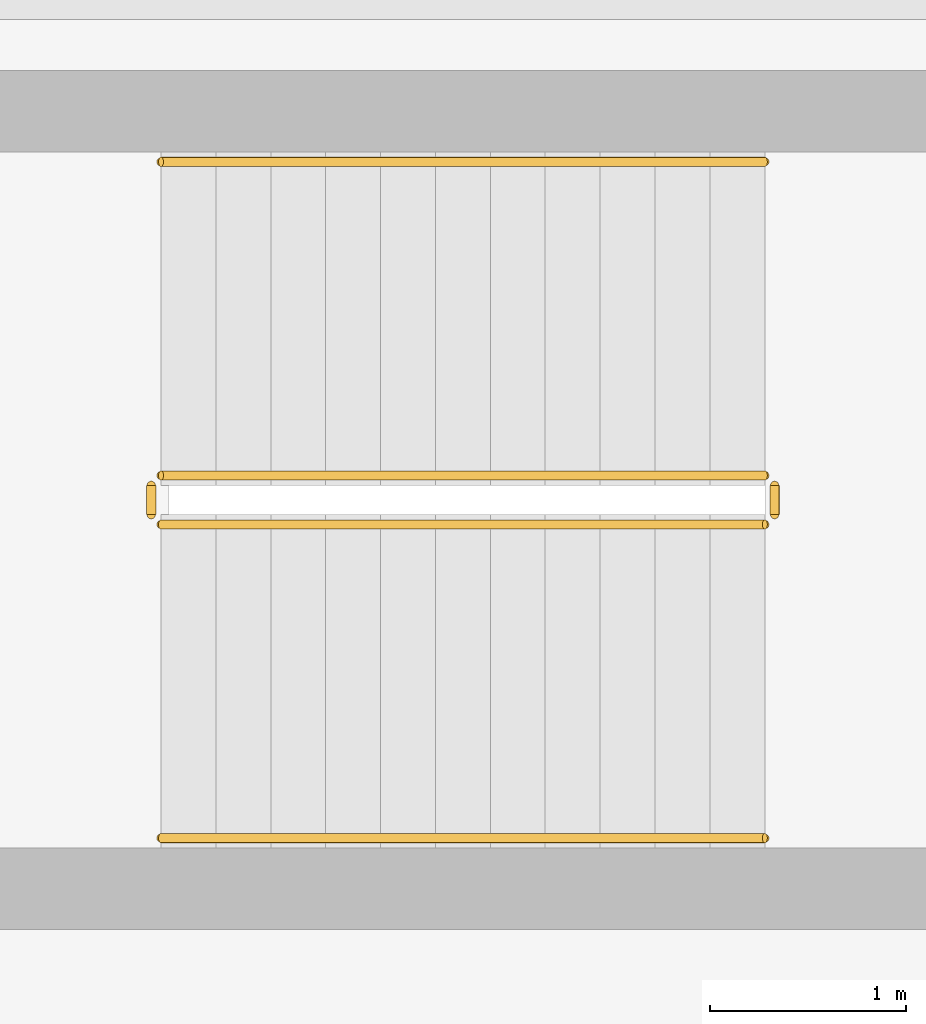
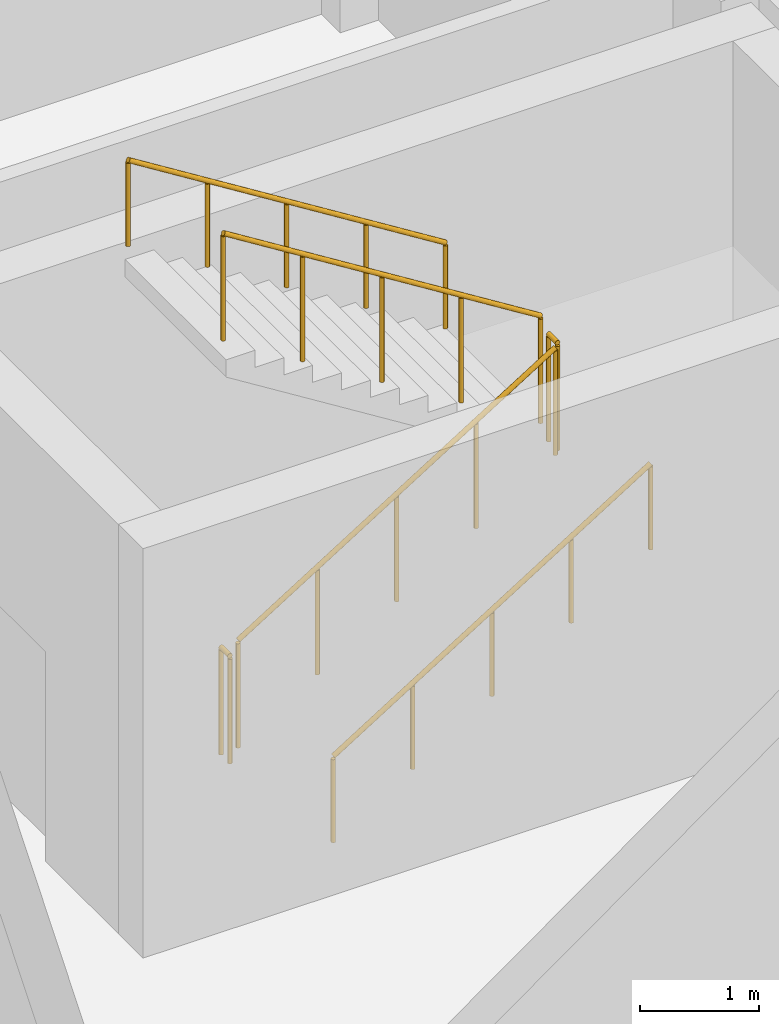
# One storey, part 31 of 31: 6 railings.
"""IFC4 building model written with IfcOpenShell, lengths in metres."""

from ifc_helpers import new_model, si_unit, direction, frame, origin, origin_2d, place, context, subcontext, project, spatial, circle, extrude, material, type_object, element, save


model = new_model("IFC4")

# Units and contexts
model_context = context("Model", 3, precision=1e-05, world=origin(), true_north=direction((0.0, 1.0)))
body_context = subcontext(model_context, "Body", "Model", "MODEL_VIEW")
ifc_project = project(units=[si_unit("LENGTHUNIT", "METRE"), si_unit("AREAUNIT", "SQUARE_METRE"), si_unit("VOLUMEUNIT", "CUBIC_METRE"), si_unit("PLANEANGLEUNIT", "RADIAN"), si_unit("MASSUNIT", "GRAM", prefix="KILO")], contexts=[model_context])

# Site, building, storey
site_placement = place(None, origin())
site = spatial("IfcSite", under=ifc_project, at=site_placement, CompositionType="ELEMENT")
building_placement = place(site_placement, origin())
building = spatial("IfcBuilding", under=site, at=building_placement, Name="Qalavern Law Courts", CompositionType="ELEMENT")
storey_placement = place(building_placement, frame((0.0, 0.0, -4.199951171875)))
storey = spatial("IfcBuildingStorey", under=building, at=storey_placement, Name="B1", CompositionType="ELEMENT", Elevation=-4.199951171875)

# Railings
ifc_material = material(Name="Steel S355", Category="steel")
railing_type_1 = type_object("IfcRailingType", Name="INT-GUARD-1120", PredefinedType="BALUSTRADE", material=ifc_material)
railing_1_placement = place(storey_placement, frame((99.89990234375, 69.949951171875, 0.175048828125)))
element("IfcRailing", 1, at=railing_1_placement, inside=storey, type_object=railing_type_1, Name="B1 ST-K1B stair guard 1", PredefinedType="BALUSTRADE", context=body_context, shape_type="SweptSolid", body=[
    extrude(circle(Radius=0.02392578125, at=origin_2d()), frame((0.0, 0.0, 1.09619140625), z_axis=(0.848028513186, 0.0, 0.529950602248), x_axis=(0.0, 1.0, 0.0)), (0.0, 0.0, 1.0), 3.632080078125),
    extrude(circle(Radius=0.02099609375, at=origin_2d()), origin(), (0.0, 0.0, 1.0), 1.072021484375),
    extrude(circle(Radius=0.02099609375, at=origin_2d()), frame((0.77001953125, 0.0, 0.481201171875)), (0.0, 0.0, 1.0), 1.072021484375),
    extrude(circle(Radius=0.02099609375, at=origin_2d()), frame((1.5400390625, 0.0, 0.96240234375)), (0.0, 0.0, 1.0), 1.072021484375),
    extrude(circle(Radius=0.02099609375, at=origin_2d()), frame((2.31005859375, 0.0, 1.443603515625)), (0.0, 0.0, 1.0), 1.072021484375),
    extrude(circle(Radius=0.02099609375, at=origin_2d()), frame((3.080078125, 0.0, 1.9248046875)), (0.0, 0.0, 1.0), 1.072021484375),
])
railing_2_placement = place(storey_placement, frame((103.030029296875, 70.0, 2.099853515625)))
element("IfcRailing", 2, at=railing_2_placement, inside=storey, type_object=railing_type_1, Name="B1 ST-K1B stair guard 2", PredefinedType="BALUSTRADE", context=body_context, shape_type="SweptSolid", body=[
    extrude(circle(Radius=0.02392578125, at=origin_2d()), frame((0.0, 0.0, 1.09619140625), z_axis=(0.0, 1.0, 0.0), x_axis=(-1.0, 0.0, 0.0)), (0.0, 0.0, 1.0), 0.14990234375),
    extrude(circle(Radius=0.02099609375, at=origin_2d()), origin(), (0.0, 0.0, 1.0), 1.072021484375),
    extrude(circle(Radius=0.02099609375, at=origin_2d()), frame((0.0, 0.14990234375, 0.0)), (0.0, 0.0, 1.0), 1.072021484375),
])
railing_3_placement = place(storey_placement, frame((102.97998046875, 70.199951171875, 2.27490234375)))
element("IfcRailing", 3, at=railing_3_placement, inside=storey, type_object=railing_type_1, Name="B1 ST-K1B stair guard 3", PredefinedType="BALUSTRADE", context=body_context, shape_type="SweptSolid", body=[
    extrude(circle(Radius=0.02392578125, at=origin_2d()), frame((0.0, 0.0, 1.09619140625), z_axis=(-0.847998304005, 0.0, 0.529998940003), x_axis=(0.0, -1.0, 0.0)), (0.0, 0.0, 1.0), 3.632080078125),
    extrude(circle(Radius=0.02099609375, at=origin_2d()), origin(), (0.0, 0.0, 1.0), 1.072021484375),
    extrude(circle(Radius=0.02099609375, at=origin_2d()), frame((-0.77001953125, 0.0, 0.481201171875)), (0.0, 0.0, 1.0), 1.072021484375),
    extrude(circle(Radius=0.02099609375, at=origin_2d()), frame((-1.5400390625, 0.0, 0.96240234375)), (0.0, 0.0, 1.0), 1.072021484375),
    extrude(circle(Radius=0.02099609375, at=origin_2d()), frame((-2.31005859375, 0.0, 1.44384765625)), (0.0, 0.0, 1.0), 1.072021484375),
    extrude(circle(Radius=0.02099609375, at=origin_2d()), frame((-3.080078125, 0.0, 1.925048828125)), (0.0, 0.0, 1.0), 1.072021484375),
])
railing_4_placement = place(storey_placement, frame((99.85009765625, 70.0, 0.0)))
element("IfcRailing", 4, at=railing_4_placement, inside=storey, type_object=railing_type_1, Name="B1 ST-K1B stair guard 4", PredefinedType="BALUSTRADE", context=body_context, shape_type="SweptSolid", body=[
    extrude(circle(Radius=0.02392578125, at=origin_2d()), frame((0.0, 0.0, 1.09619140625), z_axis=(0.0, 1.0, 0.0), x_axis=(-1.0, 0.0, 0.0)), (0.0, 0.0, 1.0), 0.14990234375),
    extrude(circle(Radius=0.02099609375, at=origin_2d()), origin(), (0.0, 0.0, 1.0), 1.072021484375),
    extrude(circle(Radius=0.02099609375, at=origin_2d()), frame((0.0, 0.14990234375, 0.0)), (0.0, 0.0, 1.0), 1.072021484375),
])
railing_type_2 = type_object("IfcRailingType", Name="INT-HRAIL-920", PredefinedType="HANDRAIL", material=ifc_material)
railing_5_placement = place(storey_placement, frame((99.89990234375, 68.35009765625, 0.175048828125)))
element("IfcRailing", 5, at=railing_5_placement, inside=storey, type_object=railing_type_2, Name="B1 ST-K1B stair handrail 1", PredefinedType="HANDRAIL", context=body_context, shape_type="SweptSolid", body=[
    extrude(circle(Radius=0.02392578125, at=origin_2d()), frame((0.0, 0.0, 0.8759765625), z_axis=(0.848028513186, 0.0, 0.529950602248), x_axis=(0.0, 1.0, 0.0)), (0.0, 0.0, 1.0), 3.632080078125),
    extrude(circle(Radius=0.02099609375, at=origin_2d()), origin(), (0.0, 0.0, 1.0), 0.851806640625),
    extrude(circle(Radius=0.02099609375, at=origin_2d()), frame((0.77001953125, 0.0, 0.481201171875)), (0.0, 0.0, 1.0), 0.851806640625),
    extrude(circle(Radius=0.02099609375, at=origin_2d()), frame((1.5400390625, 0.0, 0.96240234375)), (0.0, 0.0, 1.0), 0.851806640625),
    extrude(circle(Radius=0.02099609375, at=origin_2d()), frame((2.31005859375, 0.0, 1.443603515625)), (0.0, 0.0, 1.0), 0.851806640625),
    extrude(circle(Radius=0.02099609375, at=origin_2d()), frame((3.080078125, 0.0, 1.9248046875)), (0.0, 0.0, 1.0), 0.851806640625),
])
railing_6_placement = place(storey_placement, frame((102.97998046875, 71.800048828125, 2.27490234375)))
element("IfcRailing", 6, at=railing_6_placement, inside=storey, type_object=railing_type_2, Name="B1 ST-K1B stair handrail 2", PredefinedType="HANDRAIL", context=body_context, shape_type="SweptSolid", body=[
    extrude(circle(Radius=0.02392578125, at=origin_2d()), frame((0.0, 0.0, 0.8759765625), z_axis=(-0.847998304005, 0.0, 0.529998940003), x_axis=(0.0, -1.0, 0.0)), (0.0, 0.0, 1.0), 3.632080078125),
    extrude(circle(Radius=0.02099609375, at=origin_2d()), origin(), (0.0, 0.0, 1.0), 0.851806640625),
    extrude(circle(Radius=0.02099609375, at=origin_2d()), frame((-0.77001953125, 0.0, 0.481201171875)), (0.0, 0.0, 1.0), 0.851806640625),
    extrude(circle(Radius=0.02099609375, at=origin_2d()), frame((-1.5400390625, 0.0, 0.96240234375)), (0.0, 0.0, 1.0), 0.851806640625),
    extrude(circle(Radius=0.02099609375, at=origin_2d()), frame((-2.31005859375, 0.0, 1.44384765625)), (0.0, 0.0, 1.0), 0.851806640625),
    extrude(circle(Radius=0.02099609375, at=origin_2d()), frame((-3.080078125, 0.0, 1.925048828125)), (0.0, 0.0, 1.0), 0.851806640625),
])

save(model, "model.ifc")
